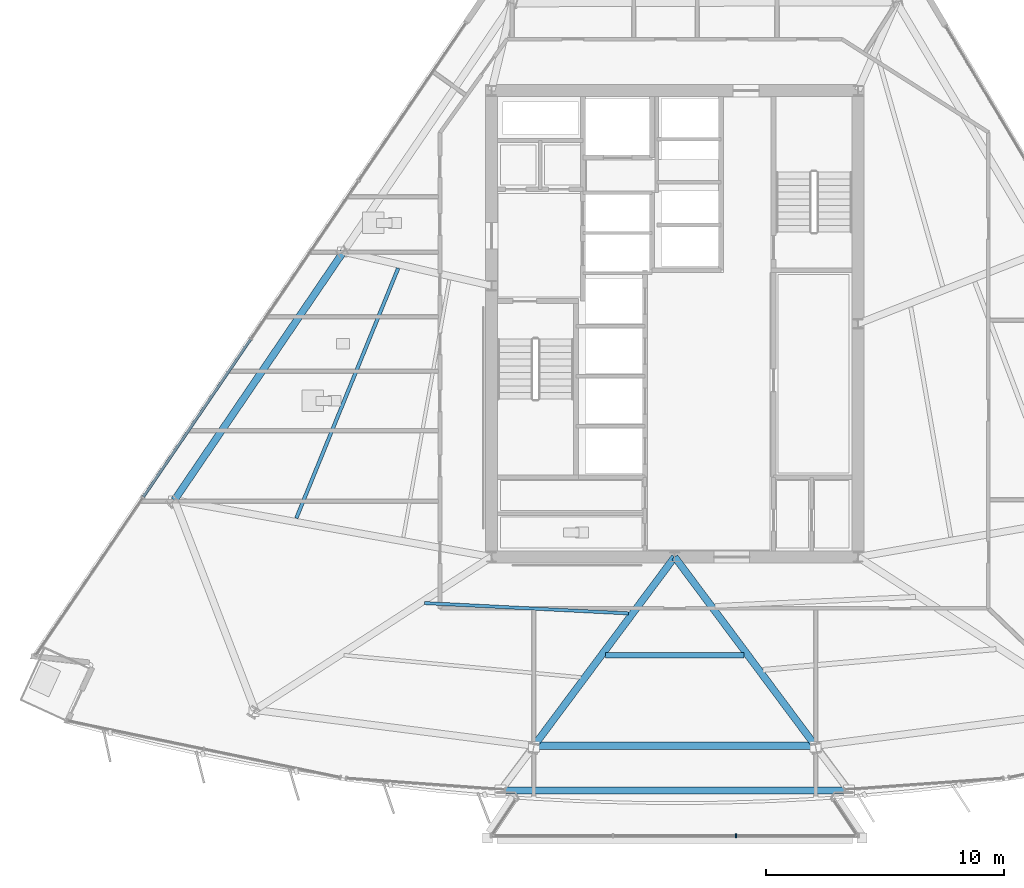
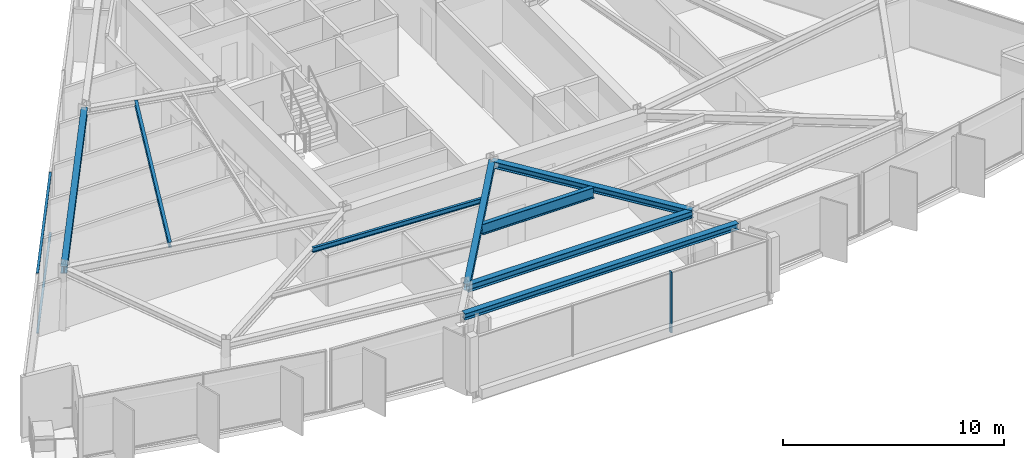
# One storey, part 3 of 16: 8 beams, 3 members, 2 elements without a shape of their own.
"""IFC4 building model written with IfcOpenShell, lengths in metres."""

from ifc_helpers import new_model, si_unit, direction, frame, origin, origin_2d, place, context, subcontext, project, spatial, rectangle, i_section, extrude, material, material_profile, profile_set, type_object, element, aggregate, save


model = new_model("IFC4")

# Units and contexts
model_context = context("Model", 3, precision=1e-05, world=origin(), true_north=direction((0.0, 1.0)))
body_context = subcontext(model_context, "Body", "Model", "MODEL_VIEW")
ifc_project = project(units=[si_unit("LENGTHUNIT", "METRE"), si_unit("AREAUNIT", "SQUARE_METRE"), si_unit("VOLUMEUNIT", "CUBIC_METRE"), si_unit("PLANEANGLEUNIT", "RADIAN"), si_unit("MASSUNIT", "GRAM", prefix="KILO")], contexts=[model_context])

# Site, building, storey
site_placement = place(None, origin())
site = spatial("IfcSite", under=ifc_project, at=site_placement, CompositionType="ELEMENT")
building_placement = place(site_placement, origin())
building = spatial("IfcBuilding", under=site, at=building_placement, Name="Savorim Split Tower", CompositionType="ELEMENT")
storey_placement = place(building_placement, frame((0.0, 0.0, 160.199951171875)))
storey = spatial("IfcBuildingStorey", under=building, at=storey_placement, Name="L42", CompositionType="ELEMENT", Elevation=160.199951171875)

# Beams
ifc_material_1 = material(Name="Steel S355", Category="steel")
ifc_material_profile_1 = material_profile(ifc_material_1, i_section(OverallWidth=0.135009765625, OverallDepth=0.27001953125, WebThickness=0.006591796875, FlangeThickness=0.01025390625, FilletRadius=0.014892578125, at=origin_2d()), Name="IPE 270")
ifc_profile_set_1 = profile_set([ifc_material_profile_1], Name="Steel S355")
beam_type_1 = type_object("IfcBeamType", Name="BM-JST-IPE270", PredefinedType="JOIST", material=ifc_profile_set_1)
beam_1_placement = place(storey_placement, frame((-10.521240234375, -11.3359375, 3.215087890625), z_axis=(0.998716472031, -0.050649861731, 0.0), x_axis=(0.050649861731, 0.998716472031, 0.0)))
element("IfcBeam", 1, at=beam_1_placement, inside=storey, type_object=beam_type_1, Name="L42 Secondary Floor Joist JS-02", PredefinedType="JOIST", context=body_context, shape_type="SweptSolid", body=[
    extrude(i_section(OverallWidth=0.135009765625, OverallDepth=0.27001953125, WebThickness=0.006591796875, FlangeThickness=0.01025390625, FilletRadius=0.014892578125, at=origin_2d()), origin(), (0.0, 0.0, 1.0), 8.59912109375),
])
ifc_material_profile_2 = material_profile(ifc_material_1, i_section(OverallWidth=0.14990234375, OverallDepth=0.300048828125, WebThickness=0.007080078125, FlangeThickness=0.0107421875, FilletRadius=0.014892578125, at=origin_2d()), Name="IPE 300")
ifc_profile_set_2 = profile_set([ifc_material_profile_2], Name="Steel S355")
beam_type_2 = type_object("IfcBeamType", Name="BM-JST-IPE300", PredefinedType="JOIST", material=ifc_profile_set_2)
beam_2_placement = place(storey_placement, frame((-11.6171875, 2.735107421875, 3.199951171875), z_axis=(-0.377381636271, -0.926057827895, 0.0), x_axis=(0.926057827895, -0.377381636271, 0.0)))
element("IfcBeam", 2, at=beam_2_placement, inside=storey, type_object=beam_type_2, Name="L42 Secondary Floor Joist JS-10", PredefinedType="JOIST", context=body_context, shape_type="SweptSolid", body=[
    extrude(i_section(OverallWidth=0.14990234375, OverallDepth=0.300048828125, WebThickness=0.007080078125, FlangeThickness=0.0107421875, FilletRadius=0.014892578125, at=origin_2d()), origin(), (0.0, 0.0, 1.0), 11.346435546875),
])
ifc_material_profile_3 = material_profile(ifc_material_1, i_section(OverallWidth=0.219970703125, OverallDepth=0.60009765625, WebThickness=0.011962890625, FlangeThickness=0.01904296875, FilletRadius=0.02392578125, at=origin_2d()), Name="IPE 600")
ifc_profile_set_3 = profile_set([ifc_material_profile_3], Name="Steel S355")
beam_type_3 = type_object("IfcBeamType", Name="BM-JST-IPE600", PredefinedType="JOIST", material=ifc_profile_set_3)
beam_3_placement = place(storey_placement, frame((-2.913818359375, -13.5244140625, 3.050048828125), z_axis=(1.0, 0.0, 0.0), x_axis=(0.0, 1.0, 0.0)))
element("IfcBeam", 3, at=beam_3_placement, inside=storey, type_object=beam_type_3, Name="L42 Secondary Floor Joist JS-03", PredefinedType="JOIST", context=body_context, shape_type="SweptSolid", body=[
    extrude(i_section(OverallWidth=0.219970703125, OverallDepth=0.60009765625, WebThickness=0.011962890625, FlangeThickness=0.01904296875, FilletRadius=0.02392578125, at=origin_2d()), origin(), (0.0, 0.0, 1.0), 5.82763671875),
])
ifc_material_profile_4 = material_profile(ifc_material_1, i_section(OverallWidth=0.300048828125, OverallDepth=0.360107421875, WebThickness=0.012451171875, FlangeThickness=0.0224609375, FilletRadius=0.027099609375, at=origin_2d()), Name="HEB 360")
ifc_profile_set_4 = profile_set([ifc_material_profile_4], Name="Steel S355")
beam_type_4 = type_object("IfcBeamType", Name="BM-PRI-HEB360", PredefinedType="BEAM", material=ifc_profile_set_4)
for number, where, z_axis, x_axis, name in (
    (4, (-5.910888671875, -17.331787109375, 3.170166015625), (0.597537021296, 0.801841323567, 0.0), (-0.801841323567, 0.597537021296, 0.0), "L42 Primary Floor Girder RG-02"),
    (5, (5.910888671875, -17.331787109375, 3.170166015625), (-0.597537021296, 0.801841323567, 0.0), (-0.801841323567, -0.597537021296, 0.0), "L42 Primary Floor Girder RG-03"),
):
    element("IfcBeam", number, at=place(storey_placement, frame(where, z_axis=z_axis, x_axis=x_axis)), inside=storey, type_object=beam_type_4, Name=name, PredefinedType="BEAM", context=body_context, shape_type="SweptSolid", body=[
        extrude(i_section(OverallWidth=0.300048828125, OverallDepth=0.360107421875, WebThickness=0.012451171875, FlangeThickness=0.0224609375, FilletRadius=0.027099609375, at=origin_2d()), origin(), (0.0, 0.0, 1.0), 9.89208984375),
    ])
ifc_material_profile_5 = material_profile(ifc_material_1, i_section(OverallWidth=0.300048828125, OverallDepth=0.35009765625, WebThickness=0.010009765625, FlangeThickness=0.017578125, FilletRadius=0.027099609375, at=origin_2d()), Name="HEA 360")
ifc_profile_set_5 = profile_set([ifc_material_profile_5], Name="Steel S355")
beam_type_5 = type_object("IfcBeamType", Name="BM-SPN-HEA360", PredefinedType="SPANDREL", material=ifc_profile_set_5)
beam_4_placement = place(storey_placement, frame((-7.155029296875, -19.216064453125, 3.175048828125), z_axis=(1.0, 0.0, 0.0), x_axis=(0.0, 1.0, 0.0)))
element("IfcBeam", 6, at=beam_4_placement, inside=storey, type_object=beam_type_5, Name="L42 Cantilevered Lounge Front Edge Beam", PredefinedType="SPANDREL", context=body_context, shape_type="SweptSolid", body=[
    extrude(i_section(OverallWidth=0.300048828125, OverallDepth=0.35009765625, WebThickness=0.010009765625, FlangeThickness=0.017578125, FilletRadius=0.027099609375, at=origin_2d()), origin(), (0.0, 0.0, 1.0), 14.31005859375),
])
ifc_material_profile_6 = material_profile(ifc_material_1, i_section(OverallWidth=0.300048828125, OverallDepth=0.389892578125, WebThickness=0.010986328125, FlangeThickness=0.01904296875, FilletRadius=0.027099609375, at=origin_2d()), Name="HEA 400")
ifc_profile_set_6 = profile_set([ifc_material_profile_6], Name="Steel S355")
beam_type_6 = type_object("IfcBeamType", Name="BM-SPN-HEA400", PredefinedType="SPANDREL", material=ifc_profile_set_6)
beam_5_placement = place(storey_placement, frame((-5.910888671875, -17.331787109375, 3.155029296875), z_axis=(1.0, 0.0, 0.0), x_axis=(0.0, 1.0, 0.0)))
element("IfcBeam", 7, at=beam_5_placement, inside=storey, type_object=beam_type_6, Name="L42 Perimeter Spandrel Beam 2", PredefinedType="SPANDREL", context=body_context, shape_type="SweptSolid", body=[
    extrude(i_section(OverallWidth=0.300048828125, OverallDepth=0.389892578125, WebThickness=0.010986328125, FlangeThickness=0.01904296875, FilletRadius=0.027099609375, at=origin_2d()), origin(), (0.0, 0.0, 1.0), 11.82177734375),
])
beam_6_placement = place(storey_placement, frame((-13.9208984375, 3.424560546875, 3.155029296875), z_axis=(-0.562454415337, -0.826828295759, 0.0), x_axis=(0.826828295759, -0.562454415337, 0.0)))
element("IfcBeam", 8, at=beam_6_placement, inside=storey, type_object=beam_type_6, Name="L42 Perimeter Spandrel Beam 9", PredefinedType="SPANDREL", context=body_context, shape_type="SweptSolid", body=[
    extrude(i_section(OverallWidth=0.300048828125, OverallDepth=0.389892578125, WebThickness=0.010986328125, FlangeThickness=0.01904296875, FilletRadius=0.027099609375, at=origin_2d()), origin(), (0.0, 0.0, 1.0), 12.624755859375),
])

# Curtain wall, member
ifc_material_2 = material(Name="Dark Ceramic-Fritted Insulated Glass", Category="glass")
curtain_wall_type_1 = type_object("IfcCurtainWallType", Name="CW-BAY-LOUNGE", PredefinedType="NOTDEFINED", material=ifc_material_2)
curtain_wall_1_placement = place(storey_placement, origin())
curtain_wall_1 = element("IfcCurtainWall", 9, at=curtain_wall_1_placement, inside=storey, type_object=curtain_wall_type_1, Name="L42 Curtain Wall CW-L42-BAYF", PredefinedType="NOTDEFINED")
ifc_material_3 = material(Name="Charcoal Anodised Aluminium", Category="aluminium")
ifc_material_profile_7 = material_profile(ifc_material_3, rectangle(XDim=0.179931640625, YDim=0.06494140625, at=origin_2d()), Name="ALU-M 180x65")
ifc_profile_set_7 = profile_set([ifc_material_profile_7], Name="Charcoal Anodised Aluminium")
member_type_1 = type_object("IfcMemberType", Name="CWM-180x65", PredefinedType="MULLION", material=ifc_profile_set_7)
member_1_placement = place(storey_placement, frame((2.58447265625, -21.10888671875, 0.0), z_axis=(0.0, 0.0, 1.0), x_axis=(0.0, 1.0, 0.0)))
member_1 = element("IfcMember", 10, at=member_1_placement, type_object=member_type_1, Name="CW-04 mullion 3", PredefinedType="MULLION", context=body_context, shape_type="SweptSolid", body=[
    extrude(rectangle(XDim=0.179931640625, YDim=0.06494140625, at=origin_2d()), origin(), (0.0, 0.0, 1.0), 3.35009765625),
])
aggregate(curtain_wall_1, [member_1])

# Curtain wall, members
curtain_wall_type_2 = type_object("IfcCurtainWallType", Name="CW-TWR-FRIT-B", PredefinedType="NOTDEFINED", material=ifc_material_2)
curtain_wall_2_placement = place(storey_placement, origin())
curtain_wall_2 = element("IfcCurtainWall", 11, at=curtain_wall_2_placement, inside=storey, type_object=curtain_wall_type_2, Name="L42 Curtain Wall CW-L42-WEST", PredefinedType="NOTDEFINED")
ifc_material_profile_8 = material_profile(ifc_material_3, rectangle(XDim=0.1201171875, YDim=0.050048828125, at=origin_2d()), Name="ALU-T 120x50")
ifc_profile_set_8 = profile_set([ifc_material_profile_8], Name="Charcoal Anodised Aluminium")
member_type_2 = type_object("IfcMemberType", Name="CWT-120x50", PredefinedType="USERDEFINED", material=ifc_profile_set_8)
member_2_placement = place(storey_placement, frame((-17.829345703125, -0.264892578125, 0.025146484375), z_axis=(-0.56246201247, -0.826823127717, 0.0), x_axis=(0.826823127717, -0.56246201247, 0.0)))
member_2 = element("IfcMember", 12, at=member_2_placement, type_object=member_type_2, Name="CW-03 transom 3.1", ObjectType="TRANSOM", PredefinedType="USERDEFINED", context=body_context, shape_type="SweptSolid", body=[
    extrude(rectangle(XDim=0.1201171875, YDim=0.050048828125, at=origin_2d()), origin(), (0.0, 0.0, 1.0), 7.995849609375),
])
member_3_placement = place(storey_placement, frame((-17.829345703125, -0.264892578125, 3.324951171875), z_axis=(-0.56246201247, -0.826823127717, 0.0), x_axis=(0.826823127717, -0.56246201247, 0.0)))
member_3 = element("IfcMember", 13, at=member_3_placement, type_object=member_type_2, Name="CW-03 transom 3.2", ObjectType="TRANSOM", PredefinedType="USERDEFINED", context=body_context, shape_type="SweptSolid", body=[
    extrude(rectangle(XDim=0.1201171875, YDim=0.050048828125, at=origin_2d()), origin(), (0.0, 0.0, 1.0), 7.995849609375),
])
aggregate(curtain_wall_2, [member_2, member_3])

save(model, "model.ifc")
